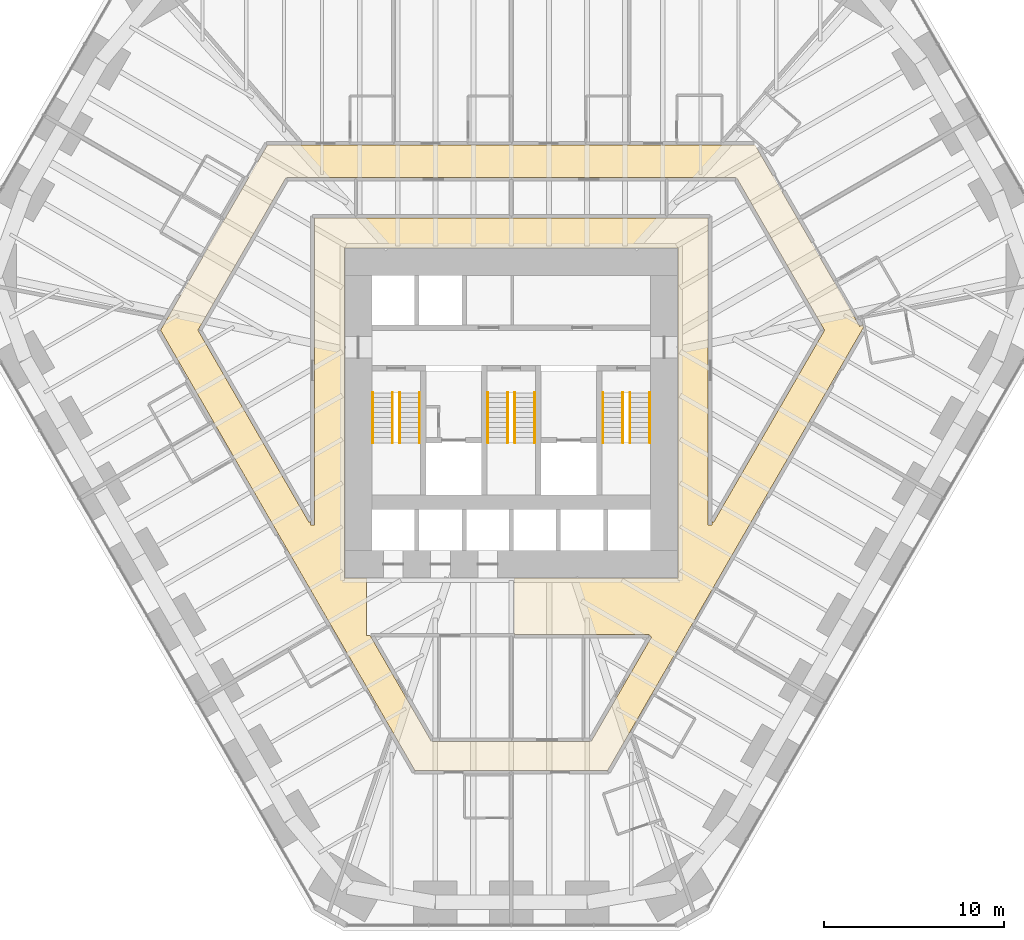
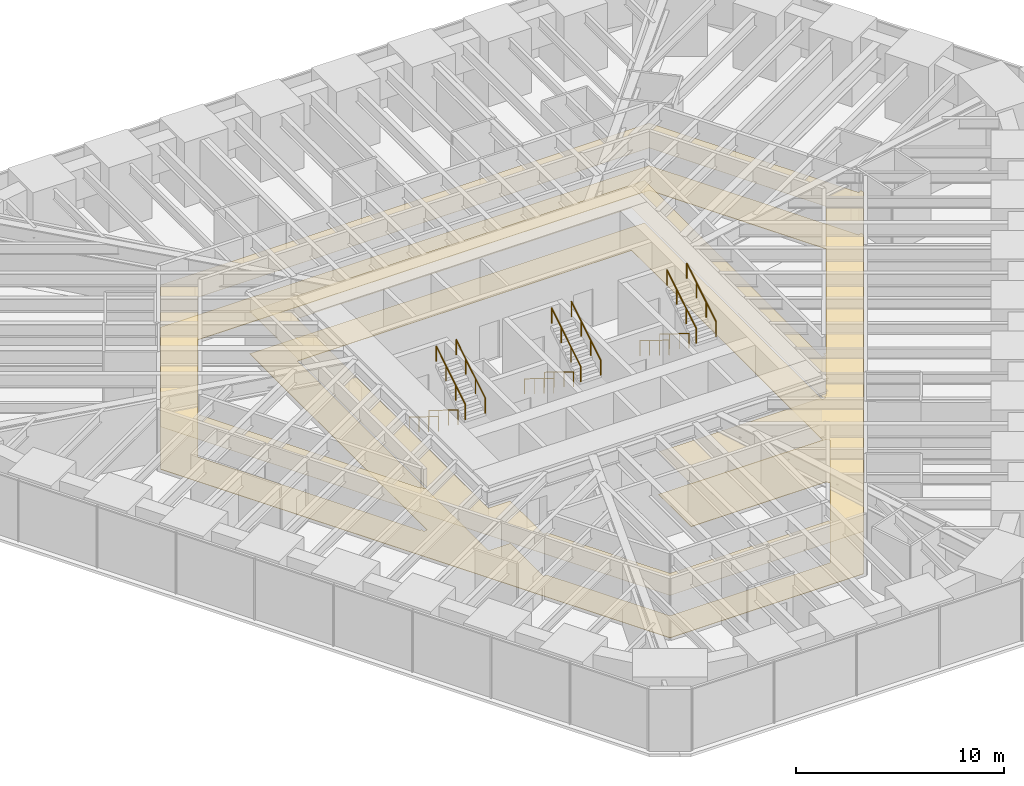
# One storey, part 17 of 17: 12 railings, 2 coverings.
"""IFC4 building model written with IfcOpenShell, lengths in metres."""

from ifc_helpers import new_model, si_unit, direction, frame, origin, origin_2d, place, context, subcontext, project, spatial, polyline, circle, outline, extrude, material, layer, layer_set, type_object, element, save


model = new_model("IFC4")

# Units and contexts
model_context = context("Model", 3, precision=1e-05, world=origin(), true_north=direction((0.0, 1.0)))
body_context = subcontext(model_context, "Body", "Model", "MODEL_VIEW")
ifc_project = project(units=[si_unit("LENGTHUNIT", "METRE"), si_unit("AREAUNIT", "SQUARE_METRE"), si_unit("VOLUMEUNIT", "CUBIC_METRE"), si_unit("PLANEANGLEUNIT", "RADIAN"), si_unit("MASSUNIT", "GRAM", prefix="KILO")], contexts=[model_context])

# Site, building, storey
site_placement = place(None, origin())
site = spatial("IfcSite", under=ifc_project, at=site_placement, CompositionType="ELEMENT")
building_placement = place(site_placement, origin())
building = spatial("IfcBuilding", under=site, at=building_placement, Name="Sandreach Pilgrim Tower", CompositionType="ELEMENT")
storey_placement = place(building_placement, frame((0.0, 0.0, 45.800048828125)))
storey = spatial("IfcBuildingStorey", under=building, at=storey_placement, Name="L10", CompositionType="ELEMENT", Elevation=45.800048828125)

# Covering
ifc_material_1 = material(Name="Gypsum board suspended ceiling on a steel grid", Category="steel")
ifc_layer_1 = layer(ifc_material_1, 0.012939453125)
ifc_layer_set_1 = layer_set([ifc_layer_1], Name="Gypsum board suspended ceiling")
covering_type_1 = type_object("IfcCoveringType", Name="Gypsum board suspended ceiling", PredefinedType="CEILING", material=ifc_layer_set_1)
covering_1_placement = place(storey_placement, frame((0.0, 0.0, 2.5)))
element("IfcCovering", 1, at=covering_1_placement, inside=storey, type_object=covering_type_1, Name="Ceiling 10C Corridor 10", PredefinedType="CEILING", context=body_context, shape_type="SweptSolid", body=[
    extrude(outline(polyline([(-19.49462890625, 3.06005859375), (-13.55224609375, 13.35009765625), (13.55224609375, 13.35009765625), (19.370849609375, 3.27392578125), (19.543212890625, 3.37353515625), (19.576171875, 3.20166015625), (5.3623046875, -21.409912109375), (-5.3623046875, -21.409912109375), (-19.49462890625, 3.06005859375)]), holes=[polyline([(-17.41552734375, 3.06005859375), (-11.24658203125, -7.61962890625), (-11.14990234375, -7.563720703125), (-11.14990234375, -7.760009765625), (-10.949951171875, -7.760009765625), (-10.949951171875, 9.300048828125), (10.949951171875, 9.300048828125), (10.949951171875, -7.760009765625), (11.14990234375, -7.760009765625), (11.14990234375, -7.563720703125), (11.24658203125, -7.61962890625), (17.41552734375, 3.06005859375), (12.517822265625, 11.550048828125), (-12.517822265625, 11.550048828125), (-17.41552734375, 3.06005859375)]), polyline([(-8.050048828125, -10.719970703125), (-8.050048828125, -13.89990234375), (-7.8544921875, -13.89990234375), (-4.437744140625, -19.81005859375), (4.437744140625, -19.81005859375), (7.796630859375, -14.0), (7.635009765625, -13.85009765625), (0.179931640625, -13.85009765625), (0.175048828125, -10.719970703125), (9.27001953125, -10.719970703125), (9.27001953125, 7.6201171875), (-9.27001953125, 7.6201171875), (-9.27001953125, -10.719970703125), (-8.050048828125, -10.719970703125)])]), origin(), (0.0, 0.0, 1.0), 0.012939453125),
])

# Railings
ifc_material_2 = material(Name="Stainless steel tube", Category="steel")
railing_type = type_object("IfcRailingType", Name="Stair handrail", PredefinedType="HANDRAIL", material=ifc_material_2)
for number, where, name in (
    (2, (-6.60009765625, -0.39990234375, 0.172607421875), "Handrail ST1 L10 flight 1"),
    (3, (-7.699951171875, -0.39990234375, 0.172607421875), "Handrail ST1 L10 flight 1"),
):
    element("IfcRailing", number, at=place(storey_placement, frame(where)), inside=storey, type_object=railing_type, Name=name, PredefinedType="HANDRAIL", context=body_context, shape_type="SweptSolid", body=[
        extrude(circle(Radius=0.02392578125, at=origin_2d()), frame((0.0, 0.0, 0.8759765625), z_axis=(0.0, -0.851089632645, 0.525020415988), x_axis=(1.0, 0.0, 0.0)), (0.0, 0.0, 1.0), 3.2900390625),
        extrude(circle(Radius=0.02099609375, at=origin_2d()), origin(), (0.0, 0.0, 1.0), 0.851806640625),
        extrude(circle(Radius=0.02099609375, at=origin_2d()), frame((0.0, -0.933349609375, 0.57568359375)), (0.0, 0.0, 1.0), 0.851806640625),
        extrude(circle(Radius=0.02099609375, at=origin_2d()), frame((0.0, -1.86669921875, 1.151611328125)), (0.0, 0.0, 1.0), 0.851806640625),
        extrude(circle(Radius=0.02099609375, at=origin_2d()), frame((0.0, -2.800048828125, 1.727294921875)), (0.0, 0.0, 1.0), 0.851806640625),
    ])
for number, where, name in (
    (4, (-6.199951171875, -3.199951171875, 2.07275390625), "Handrail ST1 L10 flight 2"),
    (5, (-5.10009765625, -3.199951171875, 2.07275390625), "Handrail ST1 L10 flight 2"),
):
    element("IfcRailing", number, at=place(storey_placement, frame(where)), inside=storey, type_object=railing_type, Name=name, PredefinedType="HANDRAIL", context=body_context, shape_type="SweptSolid", body=[
        extrude(circle(Radius=0.02392578125, at=origin_2d()), frame((0.0, 0.0, 0.8759765625), z_axis=(0.0, 0.851089632645, 0.525020415988), x_axis=(-1.0, 0.0, 0.0)), (0.0, 0.0, 1.0), 3.2900390625),
        extrude(circle(Radius=0.02099609375, at=origin_2d()), origin(), (0.0, 0.0, 1.0), 0.851806640625),
        extrude(circle(Radius=0.02099609375, at=origin_2d()), frame((0.0, 0.933349609375, 0.57568359375)), (0.0, 0.0, 1.0), 0.851806640625),
        extrude(circle(Radius=0.02099609375, at=origin_2d()), frame((0.0, 1.86669921875, 1.151611328125)), (0.0, 0.0, 1.0), 0.851806640625),
        extrude(circle(Radius=0.02099609375, at=origin_2d()), frame((0.0, 2.800048828125, 1.727294921875)), (0.0, 0.0, 1.0), 0.851806640625),
    ])
for number, where, name in (
    (6, (-0.199951171875, -0.39990234375, 0.172607421875), "Handrail ST3 L10 flight 1"),
    (7, (-1.300048828125, -0.39990234375, 0.172607421875), "Handrail ST3 L10 flight 1"),
):
    element("IfcRailing", number, at=place(storey_placement, frame(where)), inside=storey, type_object=railing_type, Name=name, PredefinedType="HANDRAIL", context=body_context, shape_type="SweptSolid", body=[
        extrude(circle(Radius=0.02392578125, at=origin_2d()), frame((0.0, 0.0, 0.8759765625), z_axis=(0.0, -0.851089632645, 0.525020415988), x_axis=(1.0, 0.0, 0.0)), (0.0, 0.0, 1.0), 3.2900390625),
        extrude(circle(Radius=0.02099609375, at=origin_2d()), origin(), (0.0, 0.0, 1.0), 0.851806640625),
        extrude(circle(Radius=0.02099609375, at=origin_2d()), frame((0.0, -0.933349609375, 0.57568359375)), (0.0, 0.0, 1.0), 0.851806640625),
        extrude(circle(Radius=0.02099609375, at=origin_2d()), frame((0.0, -1.86669921875, 1.151611328125)), (0.0, 0.0, 1.0), 0.851806640625),
        extrude(circle(Radius=0.02099609375, at=origin_2d()), frame((0.0, -2.800048828125, 1.727294921875)), (0.0, 0.0, 1.0), 0.851806640625),
    ])
for number, where, name in (
    (8, (0.199951171875, -3.199951171875, 2.07275390625), "Handrail ST3 L10 flight 2"),
    (9, (1.300048828125, -3.199951171875, 2.07275390625), "Handrail ST3 L10 flight 2"),
):
    element("IfcRailing", number, at=place(storey_placement, frame(where)), inside=storey, type_object=railing_type, Name=name, PredefinedType="HANDRAIL", context=body_context, shape_type="SweptSolid", body=[
        extrude(circle(Radius=0.02392578125, at=origin_2d()), frame((0.0, 0.0, 0.8759765625), z_axis=(0.0, 0.851089632645, 0.525020415988), x_axis=(-1.0, 0.0, 0.0)), (0.0, 0.0, 1.0), 3.2900390625),
        extrude(circle(Radius=0.02099609375, at=origin_2d()), origin(), (0.0, 0.0, 1.0), 0.851806640625),
        extrude(circle(Radius=0.02099609375, at=origin_2d()), frame((0.0, 0.933349609375, 0.57568359375)), (0.0, 0.0, 1.0), 0.851806640625),
        extrude(circle(Radius=0.02099609375, at=origin_2d()), frame((0.0, 1.86669921875, 1.151611328125)), (0.0, 0.0, 1.0), 0.851806640625),
        extrude(circle(Radius=0.02099609375, at=origin_2d()), frame((0.0, 2.800048828125, 1.727294921875)), (0.0, 0.0, 1.0), 0.851806640625),
    ])
for number, where, name in (
    (10, (6.199951171875, -0.39990234375, 0.172607421875), "Handrail ST2 L10 flight 1"),
    (11, (5.10009765625, -0.39990234375, 0.172607421875), "Handrail ST2 L10 flight 1"),
):
    element("IfcRailing", number, at=place(storey_placement, frame(where)), inside=storey, type_object=railing_type, Name=name, PredefinedType="HANDRAIL", context=body_context, shape_type="SweptSolid", body=[
        extrude(circle(Radius=0.02392578125, at=origin_2d()), frame((0.0, 0.0, 0.8759765625), z_axis=(0.0, -0.851089632645, 0.525020415988), x_axis=(1.0, 0.0, 0.0)), (0.0, 0.0, 1.0), 3.2900390625),
        extrude(circle(Radius=0.02099609375, at=origin_2d()), origin(), (0.0, 0.0, 1.0), 0.851806640625),
        extrude(circle(Radius=0.02099609375, at=origin_2d()), frame((0.0, -0.933349609375, 0.57568359375)), (0.0, 0.0, 1.0), 0.851806640625),
        extrude(circle(Radius=0.02099609375, at=origin_2d()), frame((0.0, -1.86669921875, 1.151611328125)), (0.0, 0.0, 1.0), 0.851806640625),
        extrude(circle(Radius=0.02099609375, at=origin_2d()), frame((0.0, -2.800048828125, 1.727294921875)), (0.0, 0.0, 1.0), 0.851806640625),
    ])
for number, where, name in (
    (12, (6.60009765625, -3.199951171875, 2.07275390625), "Handrail ST2 L10 flight 2"),
    (13, (7.699951171875, -3.199951171875, 2.07275390625), "Handrail ST2 L10 flight 2"),
):
    element("IfcRailing", number, at=place(storey_placement, frame(where)), inside=storey, type_object=railing_type, Name=name, PredefinedType="HANDRAIL", context=body_context, shape_type="SweptSolid", body=[
        extrude(circle(Radius=0.02392578125, at=origin_2d()), frame((0.0, 0.0, 0.8759765625), z_axis=(0.0, 0.851089632645, 0.525020415988), x_axis=(-1.0, 0.0, 0.0)), (0.0, 0.0, 1.0), 3.2900390625),
        extrude(circle(Radius=0.02099609375, at=origin_2d()), origin(), (0.0, 0.0, 1.0), 0.851806640625),
        extrude(circle(Radius=0.02099609375, at=origin_2d()), frame((0.0, 0.933349609375, 0.57568359375)), (0.0, 0.0, 1.0), 0.851806640625),
        extrude(circle(Radius=0.02099609375, at=origin_2d()), frame((0.0, 1.86669921875, 1.151611328125)), (0.0, 0.0, 1.0), 0.851806640625),
        extrude(circle(Radius=0.02099609375, at=origin_2d()), frame((0.0, 2.800048828125, 1.727294921875)), (0.0, 0.0, 1.0), 0.851806640625),
    ])

# Covering
ifc_material_3 = material(Name="Cement terrazzo, ground and polished", Category="terrazzo")
ifc_layer_2 = layer(ifc_material_3, 0.02490234375)
ifc_layer_set_2 = layer_set([ifc_layer_2], Name="Terrazzo")
covering_type_2 = type_object("IfcCoveringType", Name="Terrazzo", PredefinedType="FLOORING", material=ifc_layer_set_2)
covering_2_placement = place(storey_placement, origin())
element("IfcCovering", 14, at=covering_2_placement, inside=storey, type_object=covering_type_2, Name="Floor finish 10C Corridor 10", PredefinedType="FLOORING", context=body_context, shape_type="SweptSolid", body=[
    extrude(outline(polyline([(-19.49462890625, 3.06005859375), (-13.55224609375, 13.35009765625), (13.55224609375, 13.35009765625), (19.370849609375, 3.27392578125), (19.543212890625, 3.37353515625), (19.576171875, 3.20166015625), (5.3623046875, -21.409912109375), (-5.3623046875, -21.409912109375), (-19.49462890625, 3.06005859375)]), holes=[polyline([(-17.41552734375, 3.06005859375), (-11.24658203125, -7.61962890625), (-11.14990234375, -7.563720703125), (-11.14990234375, -7.760009765625), (-10.949951171875, -7.760009765625), (-10.949951171875, 9.300048828125), (10.949951171875, 9.300048828125), (10.949951171875, -7.760009765625), (11.14990234375, -7.760009765625), (11.14990234375, -7.563720703125), (11.24658203125, -7.61962890625), (17.41552734375, 3.06005859375), (12.517822265625, 11.550048828125), (-12.517822265625, 11.550048828125), (-17.41552734375, 3.06005859375)]), polyline([(-8.050048828125, -10.719970703125), (-8.050048828125, -13.89990234375), (-7.8544921875, -13.89990234375), (-4.437744140625, -19.81005859375), (4.437744140625, -19.81005859375), (7.796630859375, -14.0), (7.635009765625, -13.85009765625), (0.179931640625, -13.85009765625), (0.175048828125, -10.719970703125), (9.27001953125, -10.719970703125), (9.27001953125, 7.6201171875), (-9.27001953125, 7.6201171875), (-9.27001953125, -10.719970703125), (-8.050048828125, -10.719970703125)])]), origin(), (0.0, 0.0, 1.0), 0.02490234375),
])

save(model, "model.ifc")
